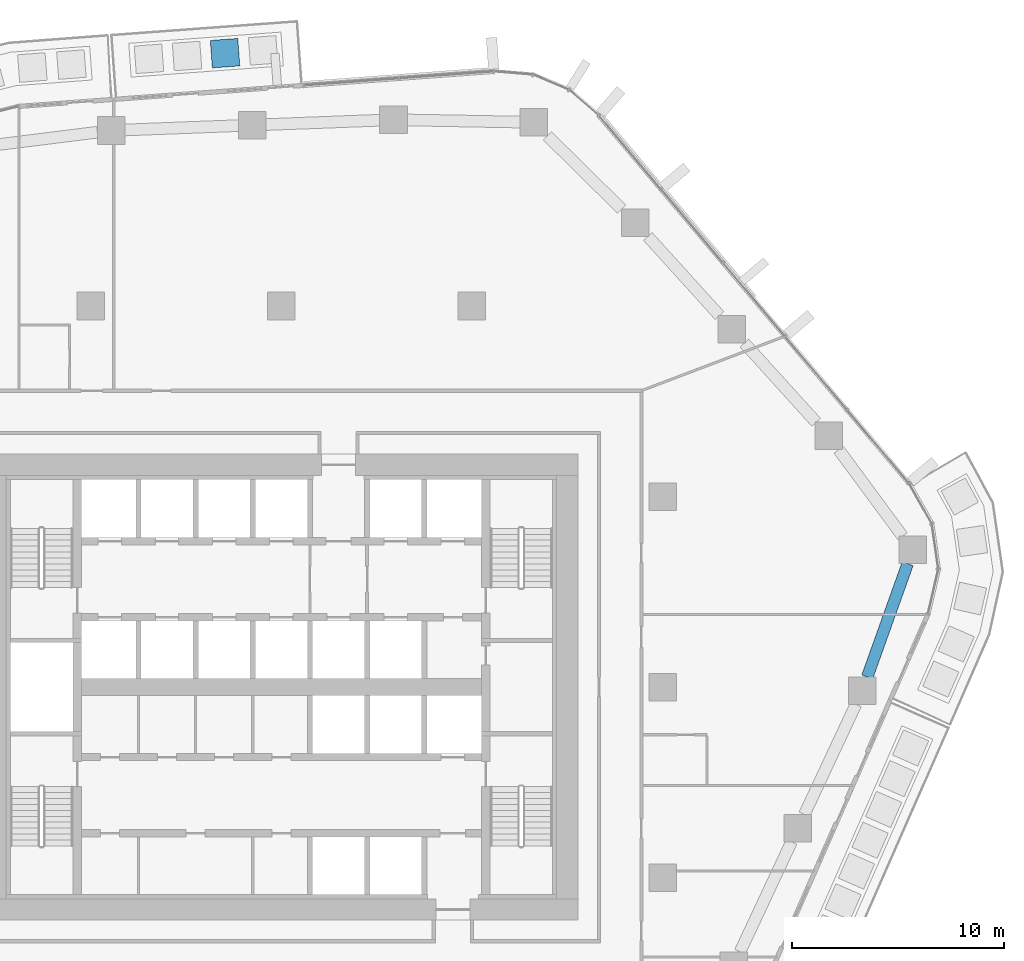
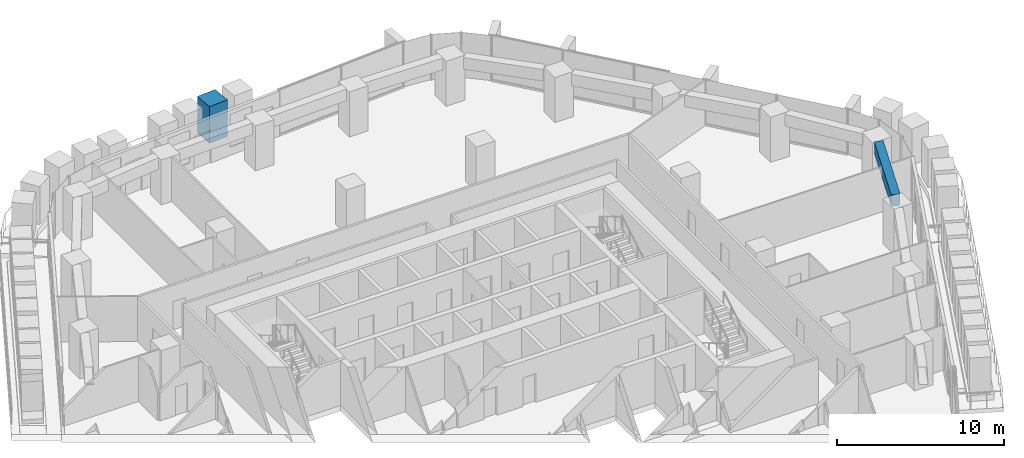
# One storey, part 7 of 23: 1 beam, 1 member.
"""IFC4 building model written with IfcOpenShell, lengths in metres."""

import ifcopenshell
import ifcopenshell.guid

model = None  # the IFC model being written
_history = None  # IfcOwnerHistory: only IFC2X3 demands one
_inside = {}  # id of a spatial element -> (the spatial element, [elements in it])
_under = {}  # id of a project, library or spatial element -> (it, [spatial elements below it])
_declared = {}  # id of a project -> (the project, [libraries it declares])
_typed = {}  # id of a type object -> (the type object, [elements of that type])
_made_of = {}  # id of a material, layer set ... -> (it, [elements and type objects made of it])


def new_model(schema):
    """Start an empty IFC model of exactly this schema.

    Asked for "IFC4X3", IfcOpenShell would pick the latest addendum, in which some entities
    have other attributes; the version numbers below select the first issue.
    IFC2X3 requires an IfcOwnerHistory on every rooted entity: one is made here for all.
    """
    global model, _history
    if schema == "IFC4X3":
        model = ifcopenshell.file(schema_version=(4, 3, 0, 0))
    else:
        model = ifcopenshell.file(schema=schema)
    _inside.clear()
    _under.clear()
    _declared.clear()
    _typed.clear()
    _made_of.clear()
    _history = None
    if model.schema == "IFC2X3":
        org = make("IfcOrganization", Name="unknown")
        user = make(
            "IfcPersonAndOrganization",
            ThePerson=make("IfcPerson", FamilyName="unknown"),
            TheOrganization=org,
        )
        app = make(
            "IfcApplication",
            ApplicationDeveloper=org,
            Version="unknown",
            ApplicationFullName="unknown",
            ApplicationIdentifier="unknown",
        )
        _history = make(
            "IfcOwnerHistory",
            OwningUser=user,
            OwningApplication=app,
            ChangeAction="ADDED",
            CreationDate=0,
        )
    return model


def make(cls, **values):
    """One entity of the class cls with the attributes given. An attribute that is None is left unset."""
    return model.create_entity(
        cls, **{name: value for name, value in values.items() if value is not None}
    )


def rooted(cls, **values):
    """An entity with a GlobalId (a new one), such as an element, a storey or a relation."""
    return make(cls, GlobalId=ifcopenshell.guid.new(), OwnerHistory=_history, **values)


def si_unit(unit_type, name, prefix=None):
    """IfcSIUnit, for example si_unit("LENGTHUNIT", "METRE", prefix="MILLI")."""
    return make("IfcSIUnit", UnitType=unit_type, Prefix=prefix, Name=name)


def assignment(units):
    """IfcUnitAssignment: the units of a project."""
    return None if units is None else make("IfcUnitAssignment", Units=units)


def point(xyz):
    """IfcCartesianPoint."""
    return None if xyz is None else make("IfcCartesianPoint", Coordinates=xyz)


def direction(xyz):
    """IfcDirection."""
    return None if xyz is None else make("IfcDirection", DirectionRatios=xyz)


def frame(location, z_axis=None, x_axis=None):
    """IfcAxis2Placement3D, a coordinate frame: its origin and axes. An axis left out is left unset."""
    return make(
        "IfcAxis2Placement3D",
        Location=point(location),
        Axis=direction(z_axis),
        RefDirection=direction(x_axis),
    )


def frame_2d(location, x_axis=None):
    """IfcAxis2Placement2D, a coordinate frame in the plane: its origin and x axis."""
    return make(
        "IfcAxis2Placement2D", Location=point(location), RefDirection=direction(x_axis)
    )


def origin():
    """The frame at (0, 0, 0) with its axes left unset."""
    return frame((0.0, 0.0, 0.0))


def origin_2d():
    """The frame at (0, 0) in the plane with its x axis left unset."""
    return frame_2d((0.0, 0.0))


def place(relative_to, where):
    """IfcLocalPlacement: puts the frame where relative to a parent placement (None: the world)."""
    return make(
        "IfcLocalPlacement", PlacementRelTo=relative_to, RelativePlacement=where
    )


def context(
    kind, dimensions, precision=None, world=None, true_north=None, identifier=None
):
    """IfcGeometricRepresentationContext, for example the 3D "Model" context."""
    return make(
        "IfcGeometricRepresentationContext",
        ContextIdentifier=identifier,
        ContextType=kind,
        CoordinateSpaceDimension=dimensions,
        Precision=precision,
        WorldCoordinateSystem=world,
        TrueNorth=true_north,
    )


def subcontext(parent, identifier, kind, view, scale=None):
    """IfcGeometricRepresentationSubContext, for example "Body" below "Model"."""
    return make(
        "IfcGeometricRepresentationSubContext",
        ContextIdentifier=identifier,
        ContextType=kind,
        ParentContext=parent,
        TargetScale=scale,
        TargetView=view,
    )


def project(units=None, contexts=None):
    """IfcProject with its units and contexts."""
    return rooted(
        "IfcProject",
        Name="project",
        RepresentationContexts=contexts,
        UnitsInContext=assignment(units),
    )


def spatial(cls, under=None, at=None, **own):
    """A site, building, storey or space (cls), placed at a placement, below another one or the project."""
    s = rooted(cls, ObjectPlacement=at, **own)
    if under is not None:
        _under.setdefault(under.id(), (under, []))[1].append(s)
    return s


def profile(cls, at=None, kind="AREA", **sizes):
    """A parametric profile (cls). Its sizes go by their IFC names, for example OverallWidth=200.0."""
    return make(cls, ProfileType=kind, Position=at, **sizes)


def rectangle(**sizes):
    """IfcRectangleProfileDef."""
    return profile("IfcRectangleProfileDef", **sizes)


def extrude(swept, where, along, depth):
    """IfcExtrudedAreaSolid: the profile swept, set in the frame where, extruded along a direction by depth."""
    return make(
        "IfcExtrudedAreaSolid",
        SweptArea=swept,
        Position=where,
        ExtrudedDirection=direction(along),
        Depth=depth,
    )


def shape(context_of_items, identifier, shape_type, items):
    """IfcShapeRepresentation: the items that make up one representation, for example the "Body"."""
    return make(
        "IfcShapeRepresentation",
        ContextOfItems=context_of_items,
        RepresentationIdentifier=identifier,
        RepresentationType=shape_type,
        Items=items,
    )


def material(Name=None, Category=None):
    """IfcMaterial."""
    return make("IfcMaterial", Name=Name, Category=Category)


def material_profile(
    of_material, cross_section, Name=None, Category=None, Priority=None
):
    """IfcMaterialProfile: a cross section and its material."""
    return make(
        "IfcMaterialProfile",
        Name=Name,
        Material=of_material,
        Profile=cross_section,
        Priority=Priority,
        Category=Category,
    )


def profile_set(profiles, Name=None, composite=None):
    """IfcMaterialProfileSet."""
    return make(
        "IfcMaterialProfileSet",
        Name=Name,
        MaterialProfiles=profiles,
        CompositeProfile=composite,
    )


def made_of(thing, what):
    """Note that an element or type object is made of a material, layer set ...; save() writes the relation."""
    if what is not None:
        _made_of.setdefault(what.id(), (what, []))[1].append(thing)
    return thing


def type_object(cls, material=None, **own):
    """A type object (cls), such as IfcWallType, which elements share."""
    return made_of(rooted(cls, **own), material)


def element(
    cls,
    number,
    at=None,
    inside=None,
    cuts=None,
    type_object=None,
    material=None,
    context=None,
    identifier="Body",
    shape_type=None,
    held_by="IfcProductDefinitionShape",
    body=None,
    shapes=None,
    **own,
):
    """One element of the class cls, such as IfcWall. Its Tag is "e" and its number.

    at: its placement. inside: the storey or other place that contains it. cuts: it is an
    opening in that element (IfcRelVoidsElement). A single representation is given by context,
    identifier, shape_type and body (its items); several are given by shapes. held_by: the class
    of the entity that holds the representations. save() writes the other relations.
    """
    e = rooted(cls, Tag="e%d" % number, ObjectPlacement=at, **own)
    if body is not None:
        shapes = [shape(context, identifier, shape_type, body)]
    if shapes is not None:
        e.Representation = make(held_by, Representations=shapes)
    if inside is not None:
        _inside.setdefault(inside.id(), (inside, []))[1].append(e)
    if cuts is not None:
        rooted(
            "IfcRelVoidsElement", RelatingBuildingElement=cuts, RelatedOpeningElement=e
        )
    if type_object is not None:
        _typed.setdefault(type_object.id(), (type_object, []))[1].append(e)
    return made_of(e, material)


def aggregate(whole, parts):
    """IfcRelAggregates: a whole, such as a stair, and the parts it consists of."""
    return rooted("IfcRelAggregates", RelatingObject=whole, RelatedObjects=parts)


def save(model, path):
    """Write the relations noted so far, then the file.

    IfcRelAggregates (storeys below a building ...), IfcRelContainedInSpatialStructure (elements
    in a storey), IfcRelDefinesByType, IfcRelAssociatesMaterial and IfcRelDeclares: one each for
    every whole, place, type object, material and project.
    """
    for whole, parts in _under.values():
        aggregate(whole, parts)
    for where, things in _inside.values():
        rooted(
            "IfcRelContainedInSpatialStructure",
            RelatedElements=things,
            RelatingStructure=where,
        )
    for kind, things in _typed.values():
        rooted("IfcRelDefinesByType", RelatedObjects=things, RelatingType=kind)
    for what, things in _made_of.values():
        rooted("IfcRelAssociatesMaterial", RelatedObjects=things, RelatingMaterial=what)
    for by, libraries in _declared.values():
        rooted("IfcRelDeclares", RelatingContext=by, RelatedDefinitions=libraries)
    model.write(path)


model = new_model("IFC4")

# Units and contexts
model_context = context("Model", 3, precision=1e-05, world=origin(), true_north=direction((0.0, 1.0)))
body_context = subcontext(model_context, "Body", "Model", "MODEL_VIEW")
ifc_project = project(units=[si_unit("LENGTHUNIT", "METRE"), si_unit("AREAUNIT", "SQUARE_METRE"), si_unit("VOLUMEUNIT", "CUBIC_METRE"), si_unit("PLANEANGLEUNIT", "RADIAN"), si_unit("MASSUNIT", "GRAM", prefix="KILO")], contexts=[model_context])

# Site, building, storey
site_placement = place(None, origin())
site = spatial("IfcSite", under=ifc_project, at=site_placement, CompositionType="ELEMENT")
building_placement = place(site_placement, origin())
building = spatial("IfcBuilding", under=site, at=building_placement, Name="Dongbaek Canopy Tower", CompositionType="ELEMENT")
storey_placement = place(building_placement, frame((0.0, 0.0, 135.89990234375)))
storey = spatial("IfcBuildingStorey", under=building, at=storey_placement, Name="L30", CompositionType="ELEMENT", Elevation=135.89990234375)

# Beam
ifc_material_1 = material(Name="Concrete C80", Category="concrete")
ifc_material_profile_1 = material_profile(ifc_material_1, rectangle(XDim=0.550048828125, YDim=0.85009765625, at=origin_2d()), Name="RC EDGE BEAM 550x850 C80")
ifc_profile_set_1 = profile_set([ifc_material_profile_1], Name="Concrete C80")
beam_type = type_object("IfcBeamType", Name="RC EDGE BEAM 550x850 C80", PredefinedType="BEAM", material=ifc_profile_set_1)
beam_placement = place(storey_placement, frame((29.578857421875, 5.83203125, 2.875), z_axis=(-0.33649709705, -0.941684503258, 0.0), x_axis=(0.941684503258, -0.33649709705, 0.0)))
element("IfcBeam", 1, at=beam_placement, inside=storey, type_object=beam_type, Name="EDGEBEAM:L30:21", PredefinedType="BEAM", context=body_context, shape_type="SweptSolid", body=[
    extrude(rectangle(XDim=0.550048828125, YDim=0.85009765625, at=origin_2d()), origin(), (0.0, 0.0, 1.0), 5.677978515625),
])

# Member
ifc_material_2 = material(Name="Concrete C40/50 planter mass with planting", Category="concrete")
ifc_material_profile_2 = material_profile(ifc_material_2, rectangle(XDim=1.300048828125, YDim=1.300048828125, at=origin_2d()), Name="Terrace PLANTER shrub mass 1300 x 1300")
ifc_profile_set_2 = profile_set([ifc_material_profile_2], Name="Concrete C40/50 planter mass with planting")
member_type = type_object("IfcMemberType", Name="Terrace PLANTER shrub mass 1300 x 1300", PredefinedType="USERDEFINED", material=ifc_profile_set_2)
member_placement = place(storey_placement, frame((-2.6591796875, 29.939453125, 0.420166015625), z_axis=(0.0, 0.0, 1.0), x_axis=(-0.073519152761, 0.997293805344, 0.0)))
element("IfcMember", 2, at=member_placement, inside=storey, type_object=member_type, Name="Planter shrubs L30 1.2", ObjectType="PLANTER", PredefinedType="USERDEFINED", context=body_context, shape_type="SweptSolid", body=[
    extrude(rectangle(XDim=1.300048828125, YDim=1.300048828125, at=origin_2d()), origin(), (0.0, 0.0, 1.0), 2.68994140625),
])

save(model, "model.ifc")
